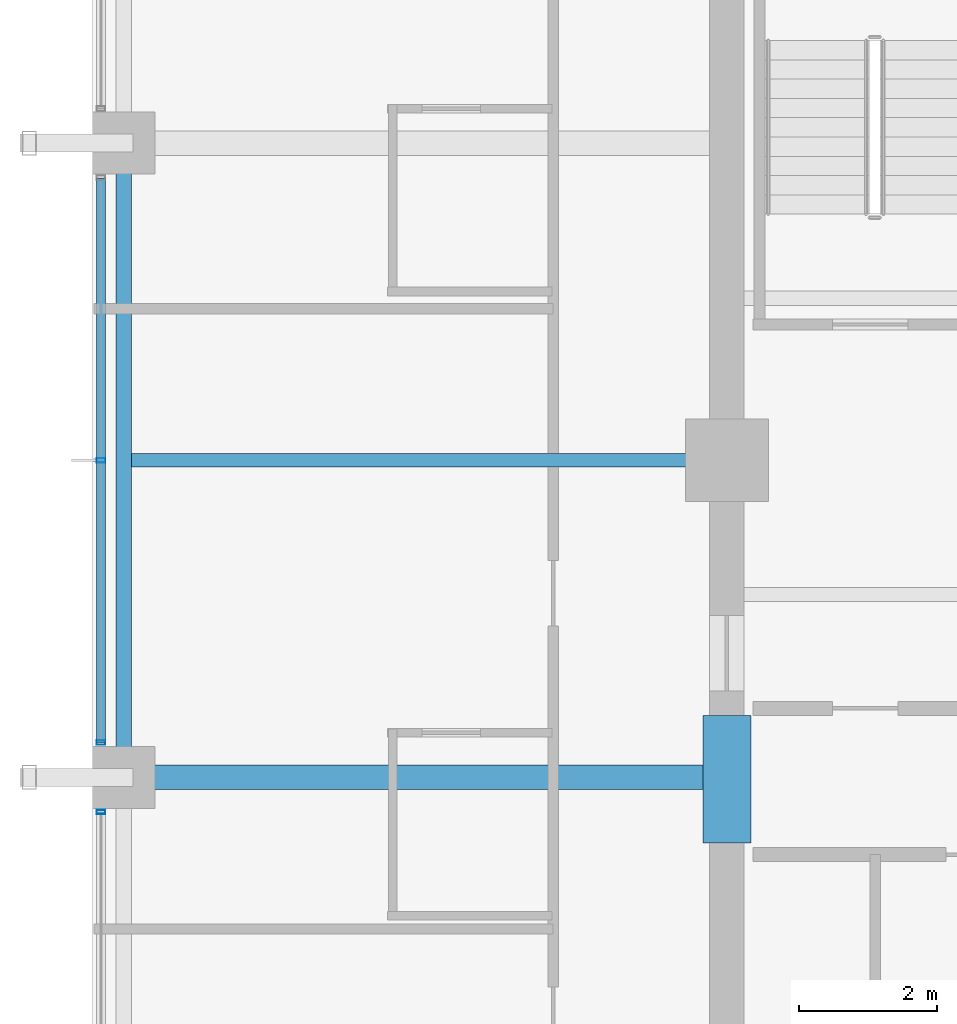
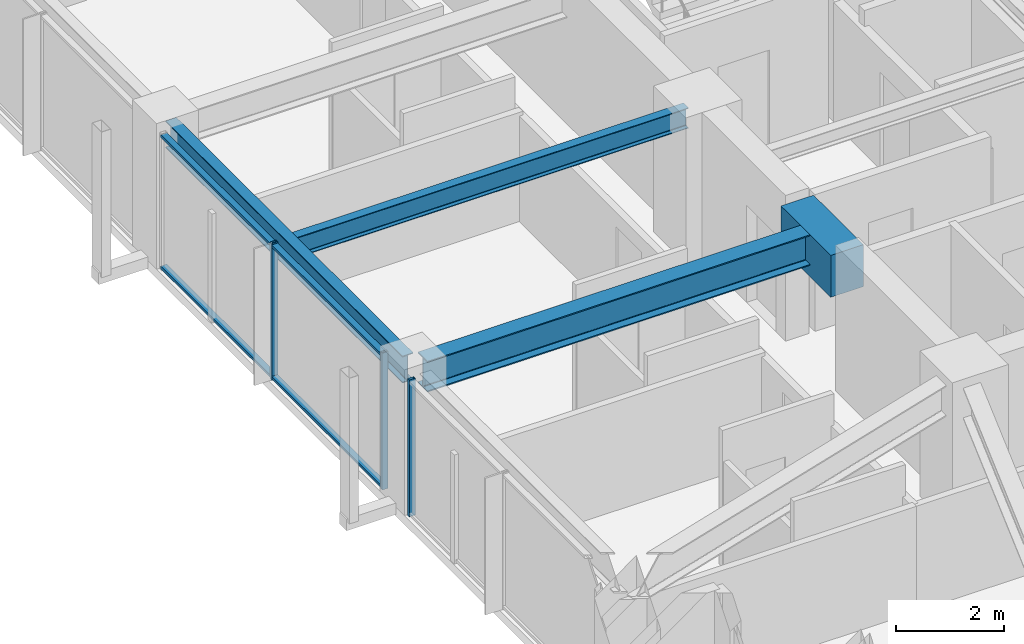
# One storey, part 8 of 32: 5 members, 4 beams, 2 elements without a shape of their own.
"""IFC4 building model written with IfcOpenShell, lengths in metres."""

from ifc_helpers import new_model, si_unit, direction, frame, origin, origin_2d, place, context, subcontext, project, spatial, rectangle, hollow_rectangle, i_section, extrude, material, material_profile, profile_set, type_object, element, aggregate, save


model = new_model("IFC4")

# Units and contexts
model_context = context("Model", 3, precision=1e-05, world=origin(), true_north=direction((0.0, 1.0)))
body_context = subcontext(model_context, "Body", "Model", "MODEL_VIEW")
ifc_project = project(units=[si_unit("LENGTHUNIT", "METRE"), si_unit("AREAUNIT", "SQUARE_METRE"), si_unit("VOLUMEUNIT", "CUBIC_METRE"), si_unit("PLANEANGLEUNIT", "RADIAN"), si_unit("MASSUNIT", "GRAM", prefix="KILO")], contexts=[model_context])

# Site, building, storey
site_placement = place(None, origin())
site = spatial("IfcSite", under=ifc_project, at=site_placement, CompositionType="ELEMENT")
building_placement = place(site_placement, origin())
building = spatial("IfcBuilding", under=site, at=building_placement, Name="Kolvaren Belvedere", CompositionType="ELEMENT")
storey_placement = place(building_placement, frame((0.0, 0.0, 160.199951171875)))
storey = spatial("IfcBuildingStorey", under=building, at=storey_placement, Name="L46", CompositionType="ELEMENT", Elevation=160.199951171875)

# Beams
ifc_material_1 = material(Name="Structural steel ASTM A992 Grade 50", Category="steel")
ifc_material_profile_1 = material_profile(ifc_material_1, i_section(OverallWidth=0.35498046875, OverallDepth=0.696044921875, WebThickness=0.015380859375, FlangeThickness=0.02490234375, FilletRadius=0.02197265625, at=origin_2d()), Name="W27X146")
ifc_profile_set_1 = profile_set([ifc_material_profile_1], Name="Structural steel ASTM A992 Grade 50")
beam_type_1 = type_object("IfcBeamType", Name="BM-GIRD-W27X146", PredefinedType="BEAM", material=ifc_profile_set_1)
beam_1_placement = place(storey_placement, frame((-10.14990234375, -4.60009765625, 2.751953125), z_axis=(-1.0, 0.0, 0.0), x_axis=(0.0, -1.0, 0.0)))
element("IfcBeam", 1, at=beam_1_placement, inside=storey, type_object=beam_type_1, Name="L46 West Radial Girder M", PredefinedType="BEAM", context=body_context, shape_type="SweptSolid", body=[
    extrude(i_section(OverallWidth=0.35498046875, OverallDepth=0.696044921875, WebThickness=0.015380859375, FlangeThickness=0.02490234375, FilletRadius=0.02197265625, at=origin_2d()), origin(), (0.0, 0.0, 1.0), 8.297607421875),
])
ifc_material_2 = material(Name="Structural steel ASTM A992 Grade 50", Category="steel")
ifc_material_profile_2 = material_profile(ifc_material_2, i_section(OverallWidth=0.19091796875, OverallDepth=0.4599609375, WebThickness=0.010009765625, FlangeThickness=0.01611328125, FilletRadius=0.014892578125, at=origin_2d()), Name="W18X55")
ifc_profile_set_2 = profile_set([ifc_material_profile_2], Name="Structural steel ASTM A992 Grade 50")
beam_type_2 = type_object("IfcBeamType", Name="BM-JOIST-W18X55", PredefinedType="BEAM", material=ifc_profile_set_2)
beam_2_placement = place(storey_placement, frame((-10.14990234375, 0.0, 2.8701171875), z_axis=(-1.0, 0.0, 0.0), x_axis=(0.0, -1.0, 0.0)))
element("IfcBeam", 2, at=beam_2_placement, inside=storey, type_object=beam_type_2, Name="L46 West Centre Floor Beam", PredefinedType="BEAM", context=body_context, shape_type="SweptSolid", body=[
    extrude(i_section(OverallWidth=0.19091796875, OverallDepth=0.4599609375, WebThickness=0.010009765625, FlangeThickness=0.01611328125, FilletRadius=0.014892578125, at=origin_2d()), origin(), (0.0, 0.0, 1.0), 8.385498046875),
])
ifc_material_3 = material(Name="Concrete C60/75", Category="concrete")
ifc_material_profile_3 = material_profile(ifc_material_3, rectangle(XDim=0.699951171875, YDim=0.949951171875, at=origin_2d()), Name="RC 700X950")
ifc_profile_set_3 = profile_set([ifc_material_profile_3], Name="Concrete C60/75")
beam_type_3 = type_object("IfcBeamType", Name="BM-LINT-950", PredefinedType="LINTEL", material=ifc_profile_set_3)
beam_3_placement = place(storey_placement, frame((-9.89990234375, -5.550048828125, 2.625), z_axis=(0.0, 1.0, 0.0), x_axis=(-1.0, 0.0, 0.0)))
element("IfcBeam", 3, at=beam_3_placement, inside=storey, type_object=beam_type_3, Name="L46 West Core Coupling Lintel", PredefinedType="LINTEL", context=body_context, shape_type="SweptSolid", body=[
    extrude(rectangle(XDim=0.699951171875, YDim=0.949951171875, at=origin_2d()), origin(), (0.0, 0.0, 1.0), 1.85009765625),
])
ifc_material_4 = material(Name="Structural steel ASTM A992 Grade 50", Category="steel")
ifc_material_profile_4 = material_profile(ifc_material_4, i_section(OverallWidth=0.22900390625, OverallDepth=0.612060546875, WebThickness=0.011962890625, FlangeThickness=0.01953125, FilletRadius=0.01806640625, at=origin_2d()), Name="W24X84")
ifc_profile_set_4 = profile_set([ifc_material_profile_4], Name="Structural steel ASTM A992 Grade 50")
beam_type_4 = type_object("IfcBeamType", Name="BM-SPAN-W24X84", PredefinedType="SPANDREL", material=ifc_profile_set_4)
beam_4_placement = place(storey_placement, frame((-18.64990234375, 4.3974609375, 2.7939453125), z_axis=(0.0, -1.0, 0.0), x_axis=(1.0, 0.0, 0.0)))
element("IfcBeam", 4, at=beam_4_placement, inside=storey, type_object=beam_type_4, Name="L46 Perimeter Spandrel W3-W2", PredefinedType="SPANDREL", context=body_context, shape_type="SweptSolid", body=[
    extrude(i_section(OverallWidth=0.22900390625, OverallDepth=0.612060546875, WebThickness=0.011962890625, FlangeThickness=0.01953125, FilletRadius=0.01806640625, at=origin_2d()), origin(), (0.0, 0.0, 1.0), 8.794921875),
])

# Curtain wall, member
ifc_material_5 = material(Name="Anodised pale-metal aluminium AA 6063-T6", Category="aluminium")
curtain_wall_type = type_object("IfcCurtainWallType", Name="CW-Z3-WAIST", PredefinedType="NOTDEFINED", material=ifc_material_5)
curtain_wall_1_placement = place(storey_placement, origin())
curtain_wall_1 = element("IfcCurtainWall", 5, at=curtain_wall_1_placement, inside=storey, type_object=curtain_wall_type, Name="L46 Unitised Curtain Wall FCW-L46-W-B1", PredefinedType="NOTDEFINED")
ifc_material_6 = material(Name="Anodised pale-metal aluminium AA 6063-T6", Category="aluminium")
ifc_material_profile_5 = material_profile(ifc_material_6, hollow_rectangle(XDim=0.06494140625, YDim=0.1298828125, WallThickness=0.00390625, at=origin_2d()), Name="ALU-MUL-130X65")
ifc_profile_set_5 = profile_set([ifc_material_profile_5], Name="Anodised pale-metal aluminium AA 6063-T6")
member_type_1 = type_object("IfcMemberType", Name="CW-MUL-130", PredefinedType="MULLION", material=ifc_profile_set_5)
member_1_placement = place(storey_placement, frame((-18.97998046875, -5.1025390625, 0.0), z_axis=(0.0, 0.0, 1.0), x_axis=(0.0, 1.0, 0.0)))
member_1 = element("IfcMember", 6, at=member_1_placement, type_object=member_type_1, Name="FCW-L46-W-B1 Unitised Mullion 3", PredefinedType="MULLION", context=body_context, shape_type="SweptSolid", body=[
    extrude(hollow_rectangle(XDim=0.06494140625, YDim=0.1298828125, WallThickness=0.00390625, at=origin_2d()), origin(), (0.0, 0.0, 1.0), 3.10009765625),
])
aggregate(curtain_wall_1, [member_1])

# Curtain wall, members
curtain_wall_2_placement = place(storey_placement, origin())
curtain_wall_2 = element("IfcCurtainWall", 7, at=curtain_wall_2_placement, inside=storey, type_object=curtain_wall_type, Name="L46 Unitised Curtain Wall FCW-L46-W-B2", PredefinedType="NOTDEFINED")
member_2_placement = place(storey_placement, frame((-18.97998046875, -4.097412109375, 0.0), z_axis=(0.0, 0.0, 1.0), x_axis=(0.0, 1.0, 0.0)))
member_2 = element("IfcMember", 8, at=member_2_placement, type_object=member_type_1, Name="FCW-L46-W-B2 Unitised Mullion 1", PredefinedType="MULLION", context=body_context, shape_type="SweptSolid", body=[
    extrude(hollow_rectangle(XDim=0.06494140625, YDim=0.1298828125, WallThickness=0.00390625, at=origin_2d()), origin(), (0.0, 0.0, 1.0), 3.10009765625),
])
member_3_placement = place(storey_placement, frame((-18.97998046875, 0.0, 0.0), z_axis=(0.0, 0.0, 1.0), x_axis=(0.0, 1.0, 0.0)))
member_3 = element("IfcMember", 9, at=member_3_placement, type_object=member_type_1, Name="FCW-L46-W-B2 Unitised Mullion 2", PredefinedType="MULLION", context=body_context, shape_type="SweptSolid", body=[
    extrude(hollow_rectangle(XDim=0.06494140625, YDim=0.1298828125, WallThickness=0.00390625, at=origin_2d()), origin(), (0.0, 0.0, 1.0), 3.10009765625),
])
ifc_material_7 = material(Name="Anodised pale-metal aluminium AA 6063-T6", Category="aluminium")
ifc_material_profile_6 = material_profile(ifc_material_7, hollow_rectangle(XDim=0.06005859375, YDim=0.1298828125, WallThickness=0.00390625, at=origin_2d()), Name="ALU-TRN-130X60")
ifc_profile_set_6 = profile_set([ifc_material_profile_6], Name="Anodised pale-metal aluminium AA 6063-T6")
member_type_2 = type_object("IfcMemberType", Name="CW-TRN-130", PredefinedType="USERDEFINED", material=ifc_profile_set_6)
member_4_placement = place(storey_placement, frame((-18.97998046875, -4.097412109375, 0.06005859375), z_axis=(0.0, 1.0, 0.0), x_axis=(0.0, 0.0, 1.0)))
member_4 = element("IfcMember", 10, at=member_4_placement, type_object=member_type_2, Name="FCW-L46-W-B2 Sill Transom", ObjectType="TRANSOM", PredefinedType="USERDEFINED", context=body_context, shape_type="SweptSolid", body=[
    extrude(hollow_rectangle(XDim=0.06005859375, YDim=0.1298828125, WallThickness=0.00390625, at=origin_2d()), origin(), (0.0, 0.0, 1.0), 8.19482421875),
])
member_5_placement = place(storey_placement, frame((-18.97998046875, -4.097412109375, 3.0400390625), z_axis=(0.0, 1.0, 0.0), x_axis=(0.0, 0.0, 1.0)))
member_5 = element("IfcMember", 11, at=member_5_placement, type_object=member_type_2, Name="FCW-L46-W-B2 Head Transom", ObjectType="TRANSOM", PredefinedType="USERDEFINED", context=body_context, shape_type="SweptSolid", body=[
    extrude(hollow_rectangle(XDim=0.06005859375, YDim=0.1298828125, WallThickness=0.00390625, at=origin_2d()), origin(), (0.0, 0.0, 1.0), 8.19482421875),
])
aggregate(curtain_wall_2, [member_2, member_3, member_4, member_5])

save(model, "model.ifc")
